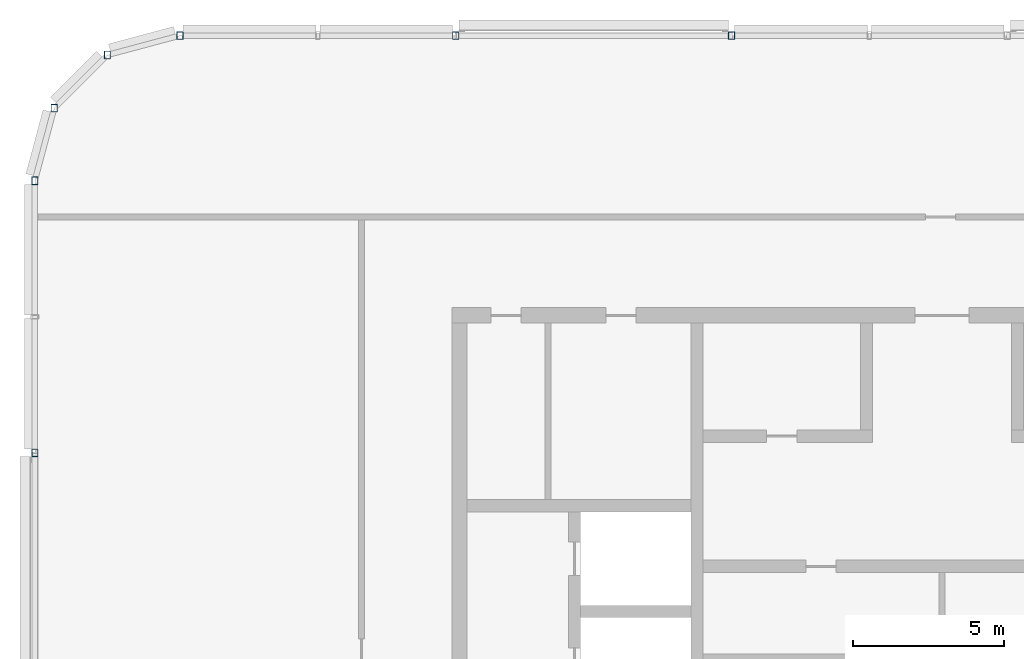
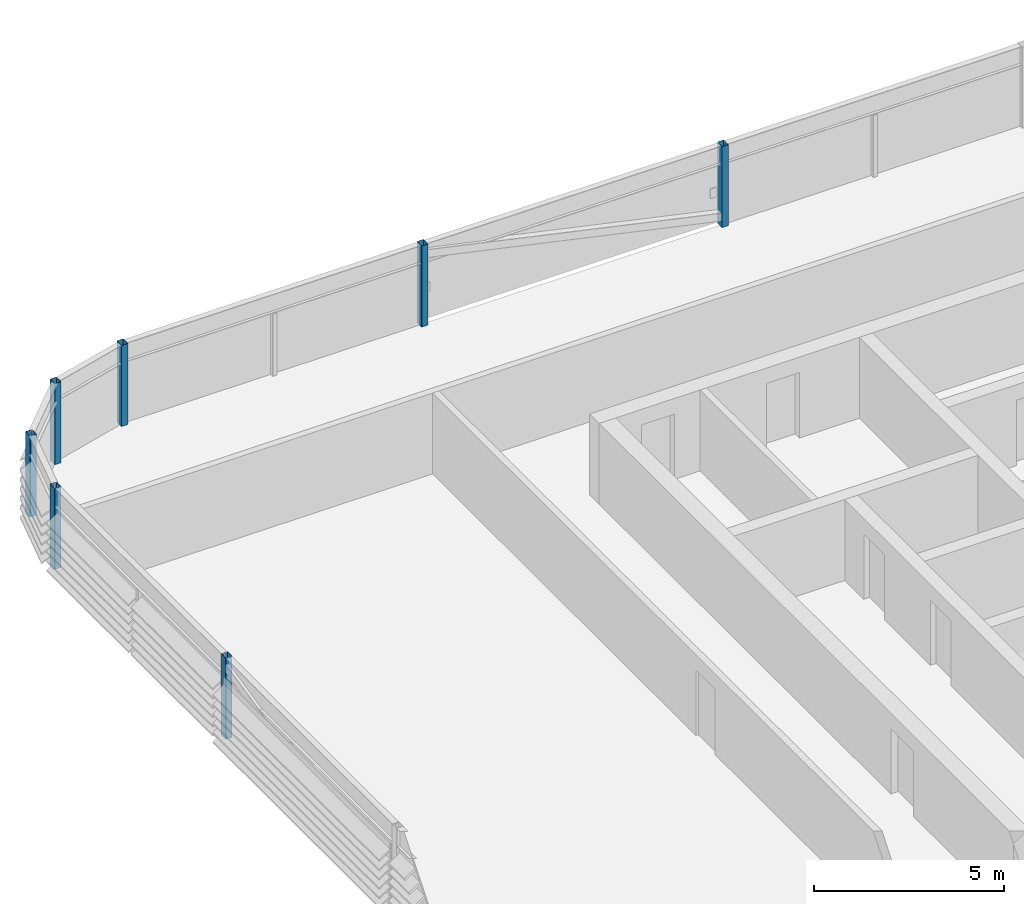
# One storey, part 3 of 27: 7 columns.
"""IFC4 building model written with IfcOpenShell, lengths in metres."""

from ifc_helpers import new_model, si_unit, direction, frame, origin, origin_2d, place, context, subcontext, project, spatial, hollow_rectangle, extrude, material, material_profile, profile_set, type_object, element, save


model = new_model("IFC4")

# Units and contexts
model_context = context("Model", 3, precision=1e-05, world=origin(), true_north=direction((0.0, 1.0)))
body_context = subcontext(model_context, "Body", "Model", "MODEL_VIEW")
ifc_project = project(units=[si_unit("LENGTHUNIT", "METRE"), si_unit("AREAUNIT", "SQUARE_METRE"), si_unit("VOLUMEUNIT", "CUBIC_METRE"), si_unit("PLANEANGLEUNIT", "RADIAN"), si_unit("MASSUNIT", "GRAM", prefix="KILO")], contexts=[model_context])

# Site, building, storey
site_placement = place(None, origin())
site = spatial("IfcSite", under=ifc_project, at=site_placement, CompositionType="ELEMENT")
building_placement = place(site_placement, origin())
building = spatial("IfcBuilding", under=site, at=building_placement, Name="Madar Terraces", CompositionType="ELEMENT")
storey_placement = place(building_placement, frame((0.0, 0.0, 314.300048828125)))
storey = spatial("IfcBuildingStorey", under=building, at=storey_placement, Name="L81", CompositionType="ELEMENT", Elevation=314.300048828125)

# Columns
ifc_material = material(Name="Steel ASTM A500 Grade C", Category="steel")
ifc_material_profile = material_profile(ifc_material, hollow_rectangle(XDim=0.203125, YDim=0.25390625, WallThickness=0.009521484375, InnerFilletRadius=0.00439453125, OuterFilletRadius=0.01318359375, at=origin_2d()), Name="HSS10x8x.375")
ifc_profile_set = profile_set([ifc_material_profile], Name="Steel ASTM A500 Grade C")
column_type = type_object("IfcColumnType", Name="CF1 HSS10x8x.375", PredefinedType="COLUMN", material=ifc_profile_set)
for number, where, z_axis, x_axis, name in (
    (1, (24.239990234375, 46.800048828125, 0.0), (0.0, 0.0, 1.0), (1.0, 0.0, 0.0), "Crown frame column CF1"),
    (2, (15.1201171875, 46.800048828125, 0.0), (0.0, 0.0, 1.0), (1.0, 0.0, 0.0), "Crown frame column CF1"),
    (3, (6.0, 46.800048828125, 0.0), (0.0, 0.0, 1.0), (1.0, 0.0, 0.0), "Crown frame column CF1"),
    (4, (3.60009765625, 46.156982421875, 0.0), (0.0, 0.0, 1.0), (1.0, 0.0, 0.0), "Crown frame column CF1"),
    (5, (1.843017578125, 44.39990234375, 0.0), (0.0, 0.0, 1.0), (1.0, 0.0, 0.0), "Crown frame column CF1"),
    (6, (1.199951171875, 42.0, 0.0), (0.0, 0.0, 1.0), (1.0, 0.0, 0.0), "Crown frame column CF1"),
    (7, (1.199951171875, 33.0, 0.0), (0.0, 0.0, 1.0), (1.0, 0.0, 0.0), "Crown frame column CF1"),
):
    element("IfcColumn", number, at=place(storey_placement, frame(where, z_axis=z_axis, x_axis=x_axis)), inside=storey, type_object=column_type, Name=name, PredefinedType="COLUMN", context=body_context, shape_type="SweptSolid", body=[
        extrude(hollow_rectangle(XDim=0.203125, YDim=0.25390625, WallThickness=0.009521484375, InnerFilletRadius=0.00439453125, OuterFilletRadius=0.01318359375, at=origin_2d()), origin(), (0.0, 0.0, 1.0), 2.599853515625),
    ])

save(model, "model.ifc")
